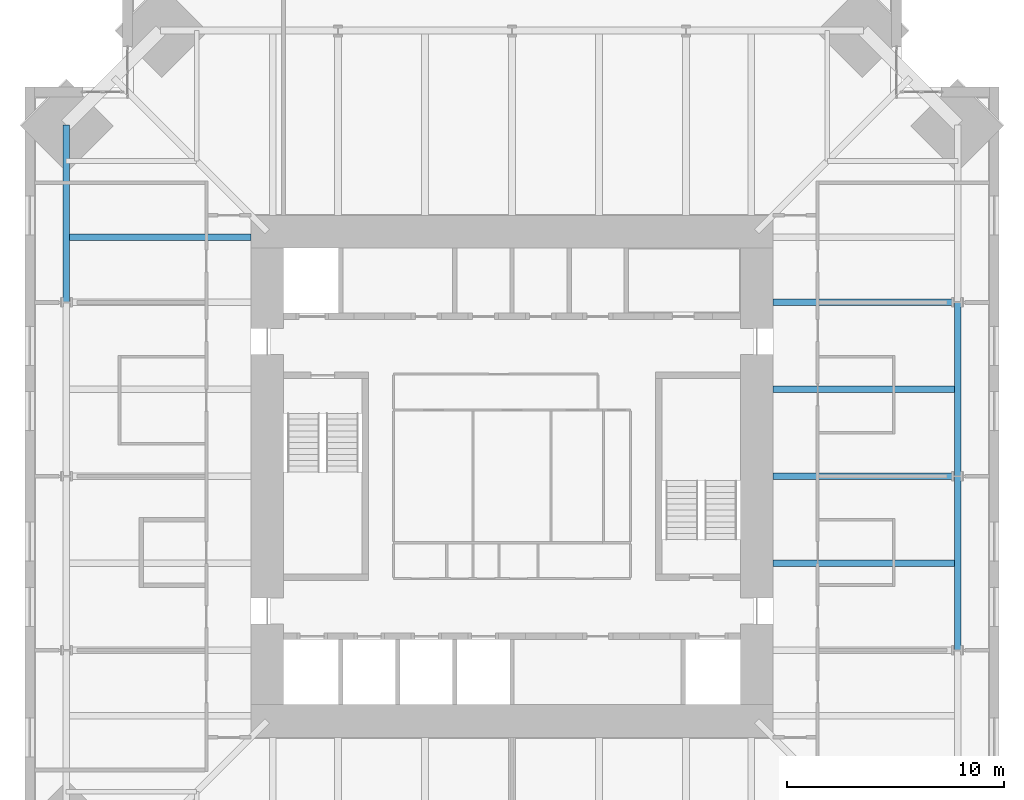
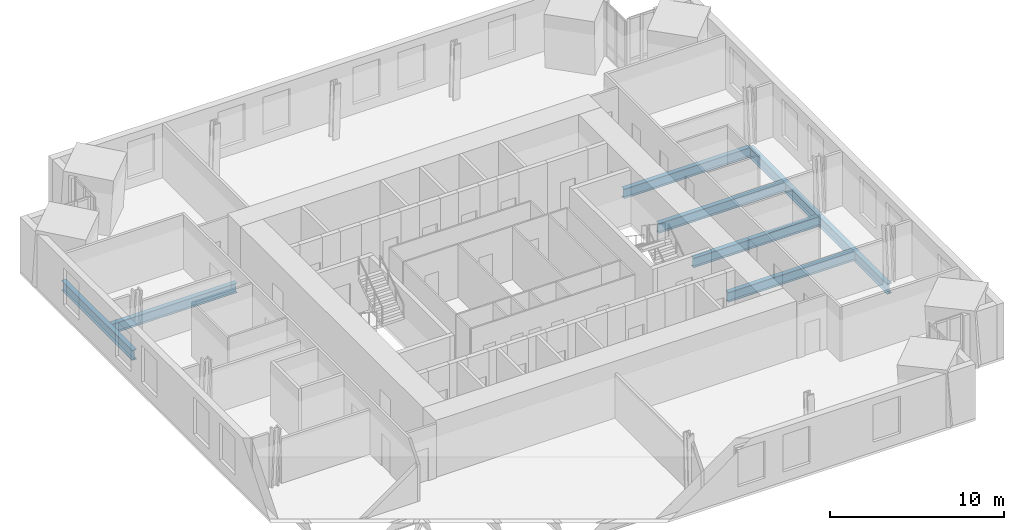
# One storey, part 5 of 17: 8 beams.
"""IFC4 building model written with IfcOpenShell, lengths in metres."""

from ifc_helpers import new_model, si_unit, direction, frame, origin, origin_2d, place, context, subcontext, project, spatial, i_section, extrude, material, material_profile, profile_set, type_object, element, save


model = new_model("IFC4")

# Units and contexts
model_context = context("Model", 3, precision=1e-05, world=origin(), true_north=direction((0.0, 1.0)))
body_context = subcontext(model_context, "Body", "Model", "MODEL_VIEW")
ifc_project = project(units=[si_unit("LENGTHUNIT", "METRE"), si_unit("AREAUNIT", "SQUARE_METRE"), si_unit("VOLUMEUNIT", "CUBIC_METRE"), si_unit("PLANEANGLEUNIT", "RADIAN"), si_unit("MASSUNIT", "GRAM", prefix="KILO")], contexts=[model_context])

# Site, building, storey
site_placement = place(None, origin())
site = spatial("IfcSite", under=ifc_project, at=site_placement, CompositionType="ELEMENT")
building_placement = place(site_placement, origin())
building = spatial("IfcBuilding", under=site, at=building_placement, Name="Peilmerk Tower", CompositionType="ELEMENT")
storey_placement = place(building_placement, frame((0.0, 0.0, 257.800048828125)))
storey = spatial("IfcBuildingStorey", under=building, at=storey_placement, Name="L57", CompositionType="ELEMENT", Elevation=257.800048828125)

# Beams
ifc_material = material(Name="Steel S355", Category="steel")
ifc_material_profile_1 = material_profile(ifc_material, i_section(OverallWidth=0.300048828125, OverallDepth=0.68994140625, WebThickness=0.014404296875, FlangeThickness=0.027099609375, at=origin_2d()), Name="HEA 700")
ifc_profile_set_1 = profile_set([ifc_material_profile_1], Name="Steel S355")
beam_type_1 = type_object("IfcBeamType", Name="B16 HEA 700 floor beam", PredefinedType="BEAM", material=ifc_profile_set_1)
for number, where, z_axis, x_axis, name in (
    (1, (12.0, -4.0, -0.51513671875), (1.0, 0.0, 0.0), (0.0, 1.0, 0.0), "Floor beam L57"),
    (2, (12.0, 0.0, -0.51513671875), (1.0, 0.0, 0.0), (0.0, 1.0, 0.0), "Floor beam L57"),
    (3, (12.0, 4.0, -0.51513671875), (1.0, 0.0, 0.0), (0.0, 1.0, 0.0), "Floor beam L57"),
    (4, (12.0, 8.0, -0.51513671875), (1.0, 0.0, 0.0), (0.0, 1.0, 0.0), "Floor beam L57"),
    (5, (-12.0, 11.0, -0.51513671875), (-1.0, 0.0, 0.0), (0.0, -1.0, 0.0), "Floor beam L57"),
):
    element("IfcBeam", number, at=place(storey_placement, frame(where, z_axis=z_axis, x_axis=x_axis)), inside=storey, type_object=beam_type_1, Name=name, PredefinedType="BEAM", context=body_context, shape_type="SweptSolid", body=[
        extrude(i_section(OverallWidth=0.300048828125, OverallDepth=0.68994140625, WebThickness=0.014404296875, FlangeThickness=0.027099609375, at=origin_2d()), origin(), (0.0, 0.0, 1.0), 8.501708984375),
    ])
ifc_material_profile_2 = material_profile(ifc_material, i_section(OverallWidth=0.303955078125, OverallDepth=0.716064453125, WebThickness=0.02099609375, FlangeThickness=0.0400390625, at=origin_2d()), Name="HEM 700")
ifc_profile_set_2 = profile_set([ifc_material_profile_2], Name="Steel S355")
beam_type_2 = type_object("IfcBeamType", Name="B30 HEM 700 edge beam", PredefinedType="SPANDREL", material=ifc_profile_set_2)
for number, where, z_axis, x_axis, name in (
    (6, (20.501708984375, -8.0, -0.528076171875), (0.0, 1.0, 0.0), (-1.0, 0.0, 0.0), "Edge beam L57"),
    (7, (20.501708984375, 0.0, -0.528076171875), (0.0, 1.0, 0.0), (-1.0, 0.0, 0.0), "Edge beam L57"),
):
    element("IfcBeam", number, at=place(storey_placement, frame(where, z_axis=z_axis, x_axis=x_axis)), inside=storey, type_object=beam_type_2, Name=name, PredefinedType="SPANDREL", context=body_context, shape_type="SweptSolid", body=[
        extrude(i_section(OverallWidth=0.303955078125, OverallDepth=0.716064453125, WebThickness=0.02099609375, FlangeThickness=0.0400390625, at=origin_2d()), origin(), (0.0, 0.0, 1.0), 8.0),
    ])
beam_placement = place(storey_placement, frame((-20.501708984375, 16.151611328125, -0.528076171875), z_axis=(0.0, -1.0, 0.0), x_axis=(1.0, 0.0, 0.0)))
element("IfcBeam", 8, at=beam_placement, inside=storey, type_object=beam_type_2, Name="Edge beam L57", PredefinedType="SPANDREL", context=body_context, shape_type="SweptSolid", body=[
    extrude(i_section(OverallWidth=0.303955078125, OverallDepth=0.716064453125, WebThickness=0.02099609375, FlangeThickness=0.0400390625, at=origin_2d()), origin(), (0.0, 0.0, 1.0), 8.151611328125),
])

save(model, "model.ifc")
